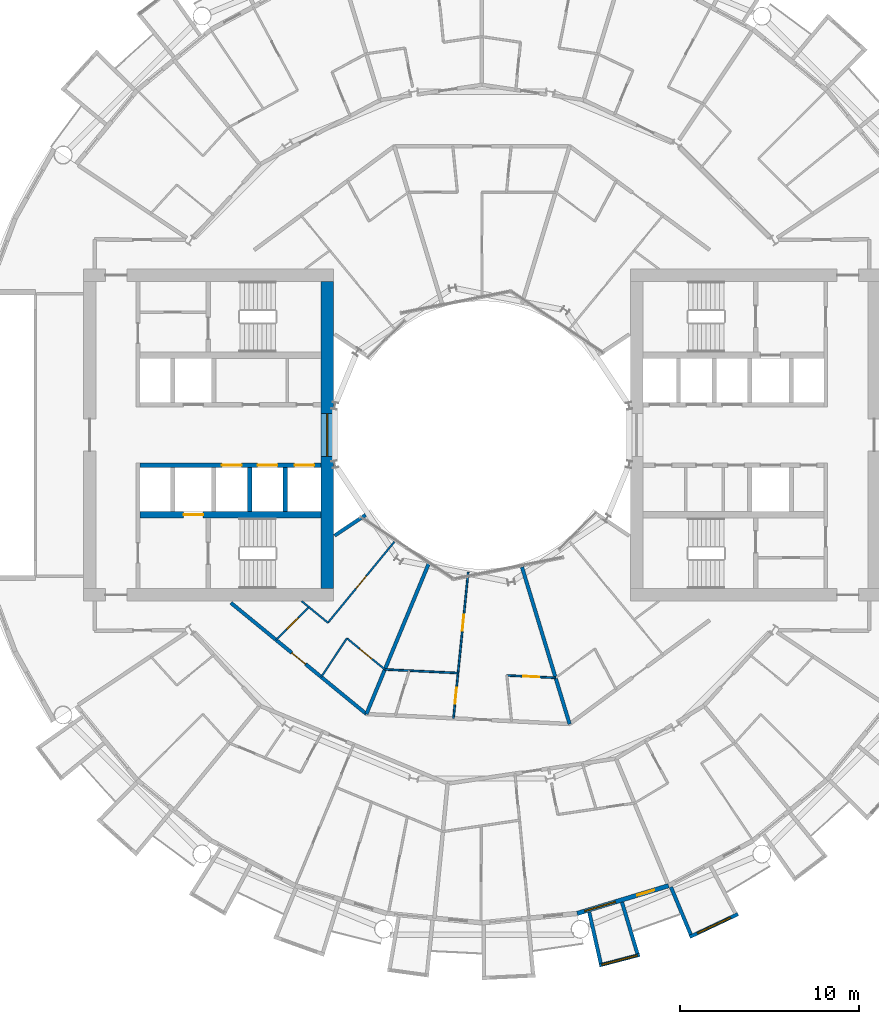
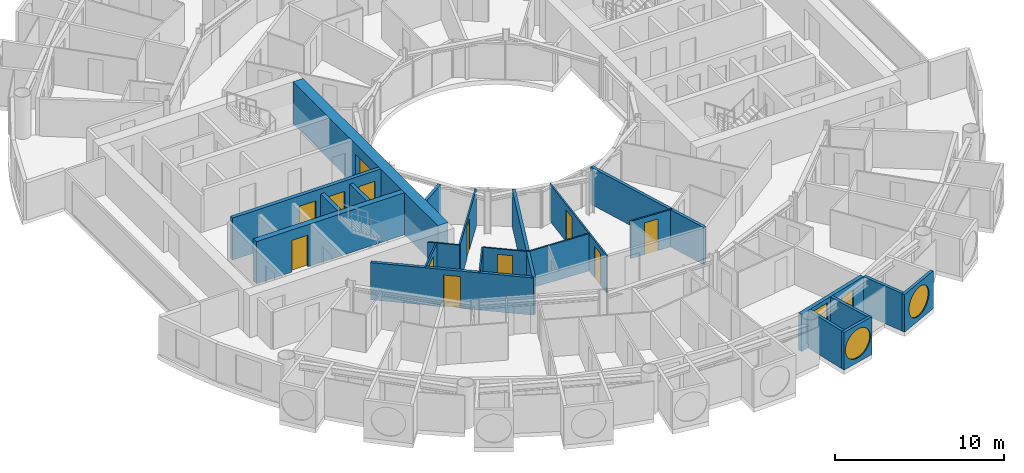
# One storey, part 15 of 26: 23 walls, 12 doors, 4 windows, 16 openings.
"""IFC4 building model written with IfcOpenShell, lengths in metres."""

from ifc_helpers import new_model, si_unit, direction, frame, frame_2d, origin, place, context, subcontext, project, spatial, rectangle, circle, extrude, material, layer, layer_set, type_object, element, fill, save


model = new_model("IFC4")

# Units and contexts
model_context = context("Model", 3, precision=1e-05, world=origin(), true_north=direction((0.0, 1.0)))
body_context = subcontext(model_context, "Body", "Model", "MODEL_VIEW")
ifc_project = project(units=[si_unit("LENGTHUNIT", "METRE"), si_unit("AREAUNIT", "SQUARE_METRE"), si_unit("VOLUMEUNIT", "CUBIC_METRE"), si_unit("PLANEANGLEUNIT", "RADIAN"), si_unit("MASSUNIT", "GRAM", prefix="KILO")], contexts=[model_context])

# Site, building, storey
site_placement = place(None, origin())
site = spatial("IfcSite", under=ifc_project, at=site_placement, CompositionType="ELEMENT")
building_placement = place(site_placement, origin())
building = spatial("IfcBuilding", under=site, at=building_placement, Name="Maasbend Ring Residences", CompositionType="ELEMENT")
storey_placement = place(building_placement, frame((0.0, 0.0, 75.800048828125)))
storey = spatial("IfcBuildingStorey", under=building, at=storey_placement, Name="L21", CompositionType="ELEMENT", Elevation=75.800048828125)

# Wall, openings, doors
ifc_material_1 = material(Name="Concrete C70/85", Category="concrete")
ifc_layer_1 = layer(ifc_material_1, 0.25)
ifc_layer_set_1 = layer_set([ifc_layer_1], Name="Concrete C70/85")
wall_type_1 = type_object("IfcWallType", Name="CORE WALL 250 C70/85", PredefinedType="SHEAR", material=ifc_layer_set_1)
wall_1_placement = place(storey_placement, frame((-9.0, -1.699951171875, 0.0), z_axis=(0.0, 0.0, 1.0), x_axis=(-1.0, 0.0, 0.0)))
wall_1 = element("IfcWall", 1, at=wall_1_placement, inside=storey, type_object=wall_type_1, Name="L21 core W wall SPN", PredefinedType="SHEAR", context=body_context, shape_type="SweptSolid", body=[
    extrude(rectangle(XDim=10.14990234375, YDim=0.25, at=frame_2d((5.074951171875, 0.0))), origin(), (0.0, 0.0, 1.0), 3.050048828125),
])
opening_1_placement = place(wall_1_placement, frame((0.387451171875, 0.0, 0.0)))
opening_1 = element("IfcOpeningElement", 2, at=opening_1_placement, cuts=wall_1, Name="Opening LD-W2101", PredefinedType="OPENING", context=body_context, shape_type="SweptSolid", body=[
    extrude(rectangle(XDim=1.10009765625, YDim=2.300048828125, at=frame_2d((0.550048828125, 1.14990234375))), frame((0.0, 0.135009765625, 0.0), z_axis=(0.0, -1.0, 0.0), x_axis=(1.0, 0.0, 0.0)), (0.0, 0.0, 1.0), 0.27001953125),
])
opening_2_placement = place(wall_1_placement, frame((2.449951171875, 0.0, 0.0)))
opening_2 = element("IfcOpeningElement", 3, at=opening_2_placement, cuts=wall_1, Name="Opening LD-W2102", PredefinedType="OPENING", context=body_context, shape_type="SweptSolid", body=[
    extrude(rectangle(XDim=1.10009765625, YDim=2.300048828125, at=frame_2d((0.550048828125, 1.14990234375))), frame((0.0, 0.135009765625, 0.0), z_axis=(0.0, -1.0, 0.0), x_axis=(1.0, 0.0, 0.0)), (0.0, 0.0, 1.0), 0.27001953125),
])
opening_3_placement = place(wall_1_placement, frame((4.449951171875, 0.0, 0.0)))
opening_3 = element("IfcOpeningElement", 4, at=opening_3_placement, cuts=wall_1, Name="Opening LD-W2103", PredefinedType="OPENING", context=body_context, shape_type="SweptSolid", body=[
    extrude(rectangle(XDim=1.10009765625, YDim=2.300048828125, at=frame_2d((0.550048828125, 1.14990234375))), frame((0.0, 0.135009765625, 0.0), z_axis=(0.0, -1.0, 0.0), x_axis=(1.0, 0.0, 0.0)), (0.0, 0.0, 1.0), 0.27001953125),
])
ifc_material_2 = material(Name="Stainless steel 316", Category="steel")
door_type_1 = type_object("IfcDoorType", Name="LANDING DOOR 1100 X 2300 FD60", OperationType="DOUBLE_DOOR_SLIDING", PredefinedType="DOOR", material=ifc_material_2)
door_1_placement = place(opening_1_placement, origin())
door_1 = element("IfcDoor", 5, at=door_1_placement, inside=storey, type_object=door_type_1, Name="Landing door LR-W1 L21", OperationType="DOUBLE_DOOR_SLIDING", OverallHeight=2.300048828125, OverallWidth=1.10009765625, PredefinedType="DOOR", context=body_context, shape_type="SweptSolid", body=[
    extrude(rectangle(XDim=1.10009765625, YDim=2.300048828125, at=frame_2d((0.550048828125, 1.14990234375))), frame((0.0, 0.02490234375, 0.0), z_axis=(0.0, -1.0, 0.0), x_axis=(1.0, 0.0, 0.0)), (0.0, 0.0, 1.0), 0.050048828125),
])
fill(opening_1, door_1)
door_2_placement = place(opening_2_placement, origin())
door_2 = element("IfcDoor", 6, at=door_2_placement, inside=storey, type_object=door_type_1, Name="Landing door LR-W2 L21", OperationType="DOUBLE_DOOR_SLIDING", OverallHeight=2.300048828125, OverallWidth=1.10009765625, PredefinedType="DOOR", context=body_context, shape_type="SweptSolid", body=[
    extrude(rectangle(XDim=1.10009765625, YDim=2.300048828125, at=frame_2d((0.550048828125, 1.14990234375))), frame((0.0, 0.02490234375, 0.0), z_axis=(0.0, -1.0, 0.0), x_axis=(1.0, 0.0, 0.0)), (0.0, 0.0, 1.0), 0.050048828125),
])
fill(opening_2, door_2)
door_3_placement = place(opening_3_placement, origin())
door_3 = element("IfcDoor", 7, at=door_3_placement, inside=storey, type_object=door_type_1, Name="Landing door LR-W3 L21", OperationType="DOUBLE_DOOR_SLIDING", OverallHeight=2.300048828125, OverallWidth=1.10009765625, PredefinedType="DOOR", context=body_context, shape_type="SweptSolid", body=[
    extrude(rectangle(XDim=1.10009765625, YDim=2.300048828125, at=frame_2d((0.550048828125, 1.14990234375))), frame((0.0, 0.02490234375, 0.0), z_axis=(0.0, -1.0, 0.0), x_axis=(1.0, 0.0, 0.0)), (0.0, 0.0, 1.0), 0.050048828125),
])
fill(opening_3, door_3)

# Wall, opening, door
ifc_material_3 = material(Name="Concrete C70/85", Category="concrete")
ifc_layer_2 = layer(ifc_material_3, 0.375)
ifc_layer_set_2 = layer_set([ifc_layer_2], Name="Concrete C70/85")
wall_type_2 = type_object("IfcWallType", Name="CORE WALL 375 C70/85", PredefinedType="SHEAR", material=ifc_layer_set_2)
wall_2_placement = place(storey_placement, frame((-9.0, -4.46240234375, 0.0), z_axis=(0.0, 0.0, 1.0), x_axis=(-1.0, 0.0, 0.0)))
wall_2 = element("IfcWall", 8, at=wall_2_placement, inside=storey, type_object=wall_type_2, Name="L21 core W wall BN", PredefinedType="SHEAR", context=body_context, shape_type="SweptSolid", body=[
    extrude(rectangle(XDim=10.14990234375, YDim=0.375, at=frame_2d((5.074951171875, 0.0))), origin(), (0.0, 0.0, 1.0), 3.050048828125),
])
opening_4_placement = place(wall_2_placement, frame((6.60009765625, 0.0, 0.0)))
opening_4 = element("IfcOpeningElement", 9, at=opening_4_placement, cuts=wall_2, Name="Opening LD-W2104", PredefinedType="OPENING", context=body_context, shape_type="SweptSolid", body=[
    extrude(rectangle(XDim=1.10009765625, YDim=2.300048828125, at=frame_2d((0.550048828125, 1.14990234375))), frame((0.0, 0.197509765625, 0.0), z_axis=(0.0, -1.0, 0.0), x_axis=(1.0, 0.0, 0.0)), (0.0, 0.0, 1.0), 0.39501953125),
])
door_4_placement = place(opening_4_placement, origin())
door_4 = element("IfcDoor", 10, at=door_4_placement, inside=storey, type_object=door_type_1, Name="Landing door FF-W L21", OperationType="DOUBLE_DOOR_SLIDING", OverallHeight=2.300048828125, OverallWidth=1.10009765625, PredefinedType="DOOR", context=body_context, shape_type="SweptSolid", body=[
    extrude(rectangle(XDim=1.10009765625, YDim=2.300048828125, at=frame_2d((0.550048828125, 1.14990234375))), frame((0.0, 0.02490234375, 0.0), z_axis=(0.0, -1.0, 0.0), x_axis=(1.0, 0.0, 0.0)), (0.0, 0.0, 1.0), 0.050048828125),
])
fill(opening_4, door_4)

# Wall, opening, window
ifc_material_4 = material(Name="Concrete C70/85", Category="concrete")
ifc_layer_3 = layer(ifc_material_4, 0.699951171875)
ifc_layer_set_3 = layer_set([ifc_layer_3], Name="Concrete C70/85")
wall_type_3 = type_object("IfcWallType", Name="CORE WALL 700 C70/85", PredefinedType="SHEAR", material=ifc_layer_set_3)
wall_3_placement = place(storey_placement, frame((-8.64990234375, 8.60009765625, 0.0), z_axis=(0.0, 0.0, 1.0), x_axis=(0.0, -1.0, 0.0)))
wall_3 = element("IfcWall", 11, at=wall_3_placement, inside=storey, type_object=wall_type_3, Name="L21 core W wall PIN", PredefinedType="SHEAR", context=body_context, shape_type="SweptSolid", body=[
    extrude(rectangle(XDim=17.2001953125, YDim=0.699951171875, at=frame_2d((8.60009765625, 0.0))), origin(), (0.0, 0.0, 1.0), 3.050048828125),
])
opening_5_placement = place(wall_3_placement, frame((7.39990234375, 0.0, 0.10009765625)))
opening_5 = element("IfcOpeningElement", 12, at=opening_5_placement, cuts=wall_3, Name="Opening W-W2101", PredefinedType="OPENING", context=body_context, shape_type="SweptSolid", body=[
    extrude(rectangle(XDim=2.39990234375, YDim=2.199951171875, at=frame_2d((1.199951171875, 1.10009765625))), frame((0.0, 0.35986328125, 0.0), z_axis=(0.0, -1.0, 0.0), x_axis=(1.0, 0.0, 0.0)), (0.0, 0.0, 1.0), 0.719970703125),
])
ifc_material_5 = material(Name="Aluminium frame and clear glass", Category="aluminium")
window_type_1 = type_object("IfcWindowType", Name="FIXED WINDOW 2400 X 2200", PartitioningType="SINGLE_PANEL", PredefinedType="WINDOW", material=ifc_material_5)
window_1_placement = place(opening_5_placement, origin())
window_1 = element("IfcWindow", 13, at=window_1_placement, inside=storey, type_object=window_type_1, Name="Lobby window L21", OverallHeight=2.199951171875, OverallWidth=2.39990234375, PartitioningType="SINGLE_PANEL", PredefinedType="WINDOW", context=body_context, shape_type="SweptSolid", body=[
    extrude(rectangle(XDim=2.39990234375, YDim=2.199951171875, at=frame_2d((1.199951171875, 1.10009765625))), frame((0.0, 0.030029296875, 0.0), z_axis=(0.0, -1.0, 0.0), x_axis=(1.0, 0.0, 0.0)), (0.0, 0.0, 1.0), 0.06005859375),
])
fill(opening_5, window_1)

# Wall, opening, door
ifc_material_6 = material(Name="Concrete C30/37", Category="concrete")
ifc_layer_4 = layer(ifc_material_6, 0.199951171875)
ifc_layer_set_4 = layer_set([ifc_layer_4], Name="Concrete C30/37")
wall_type_4 = type_object("IfcWallType", Name="CORRIDOR WALL 200 CONCRETE", PredefinedType="PARTITIONING", material=ifc_layer_set_4)
wall_4_placement = place(storey_placement, frame((-14.050048828125, -9.39208984375, 0.0), z_axis=(0.0, 0.0, 1.0), x_axis=(0.773074935257, -0.634314704605, 0.0)))
wall_4 = element("IfcWall", 14, at=wall_4_placement, inside=storey, type_object=wall_type_4, Name="U-L21-w019", PredefinedType="PARTITIONING", context=body_context, shape_type="SweptSolid", body=[
    extrude(rectangle(XDim=9.808837890625, YDim=0.199951171875, at=frame_2d((4.904296875, 0.0))), origin(), (0.0, 0.0, 1.0), 2.699951171875),
])
opening_6_placement = place(wall_4_placement, frame((4.402099609375, 0.0, 0.0)))
opening_6 = element("IfcOpeningElement", 15, at=opening_6_placement, cuts=wall_4, Name="Opening D-2155", PredefinedType="OPENING", context=body_context, shape_type="SweptSolid", body=[
    extrude(rectangle(XDim=1.0, YDim=2.300048828125, at=frame_2d((0.5, 1.14990234375))), frame((0.0, 0.10986328125, 0.0), z_axis=(0.0, -1.0, 0.0), x_axis=(1.0, 0.0, 0.0)), (0.0, 0.0, 1.0), 0.219970703125),
])
ifc_material_7 = material(Name="Timber, fire-rated, painted", Category="wood")
door_type_2 = type_object("IfcDoorType", Name="FLAT ENTRANCE DOOR 1000 X 2300 FIRE-RATED", OperationType="NOTDEFINED", PredefinedType="DOOR", material=ifc_material_7)
door_5_placement = place(opening_6_placement, origin())
door_5 = element("IfcDoor", 16, at=door_5_placement, inside=storey, type_object=door_type_2, Name="D-2155", OperationType="SINGLE_SWING_LEFT", OverallHeight=2.300048828125, OverallWidth=1.0, PredefinedType="DOOR", context=body_context, shape_type="SweptSolid", body=[
    extrude(rectangle(XDim=1.0, YDim=2.300048828125, at=frame_2d((0.5, 1.14990234375))), frame((0.0, 0.02490234375, 0.0), z_axis=(0.0, -1.0, 0.0), x_axis=(1.0, 0.0, 0.0)), (0.0, 0.0, 1.0), 0.050048828125),
])
fill(opening_6, door_5)

# Wall, opening, window
ifc_material_8 = material(Name="Pale anodised aluminium panel", Category="aluminium")
ifc_layer_5 = layer(ifc_material_8, 0.199951171875)
ifc_layer_set_5 = layer_set([ifc_layer_5], Name="EW-BOX")
wall_type_5 = type_object("IfcWallType", Name="EW-BOX", PredefinedType="SOLIDWALL", material=ifc_layer_set_5)
wall_5_placement = place(storey_placement, frame((6.568115234375, -29.681884765625, -0.030029296875), z_axis=(0.0, 0.0, 1.0), x_axis=(0.967377102346, 0.253340762326, 0.0)))
wall_5 = element("IfcWall", 17, at=wall_5_placement, inside=storey, type_object=wall_type_5, Name="Box front S13", PredefinedType="SOLIDWALL", context=body_context, shape_type="SweptSolid", body=[
    extrude(rectangle(XDim=2.3359375, YDim=0.199951171875, at=frame_2d((1.16796875, 0.0))), origin(), (0.0, 0.0, 1.0), 2.72998046875),
])
opening_7_placement = place(wall_5_placement, frame((0.128173828125, 0.0, 0.330078125)))
opening_7 = element("IfcOpeningElement", 18, at=opening_7_placement, cuts=wall_5, Name="Opening W-RD", PredefinedType="OPENING", context=body_context, shape_type="SweptSolid", body=[
    extrude(circle(Radius=1.0400390625, at=frame_2d((1.0400390625, 1.0400390625))), frame((0.0, 0.10986328125, 0.0), z_axis=(0.0, -1.0, 0.0), x_axis=(1.0, 0.0, 0.0)), (0.0, 0.0, 1.0), 0.219970703125),
])
ifc_material_9 = material(Name="Aluminium and clear glass", Category="aluminium")
window_type_2 = type_object("IfcWindowType", Name="W-RD", PartitioningType="SINGLE_PANEL", PredefinedType="WINDOW", material=ifc_material_9)
window_2_placement = place(opening_7_placement, origin())
window_2 = element("IfcWindow", 19, at=window_2_placement, inside=storey, type_object=window_type_2, Name="Round window S13", OverallHeight=2.080078125, OverallWidth=2.080078125, PartitioningType="SINGLE_PANEL", PredefinedType="WINDOW", context=body_context, shape_type="SweptSolid", body=[
    extrude(circle(Radius=1.0400390625, at=frame_2d((1.0400390625, 1.0400390625))), frame((0.0, 0.030029296875, 0.0), z_axis=(0.0, -1.0, 0.0), x_axis=(1.0, 0.0, 0.0)), (0.0, 0.0, 1.0), 0.06005859375),
])
fill(opening_7, window_2)

# Walls
wall_6_placement = place(storey_placement, frame((6.00390625, -26.699951171875, -0.030029296875), z_axis=(0.0, 0.0, 1.0), x_axis=(0.219609259383, -0.975587911566, 0.0)))
element("IfcWall", 20, at=wall_6_placement, inside=storey, type_object=wall_type_5, Name="Box side wall S13 left", PredefinedType="SOLIDWALL", context=body_context, shape_type="SweptSolid", body=[
    extrude(rectangle(XDim=2.9326171875, YDim=0.199951171875, at=frame_2d((1.46630859375, 0.0))), origin(), (0.0, 0.0, 1.0), 2.72998046875),
])
wall_7_placement = place(storey_placement, frame((7.8369140625, -26.14404296875, -0.030029296875), z_axis=(0.0, 0.0, 1.0), x_axis=(0.287064767992, -0.957911174889, 0.0)))
element("IfcWall", 21, at=wall_7_placement, inside=storey, type_object=wall_type_5, Name="Box side wall S13 right", PredefinedType="SOLIDWALL", context=body_context, shape_type="SweptSolid", body=[
    extrude(rectangle(XDim=3.00634765625, YDim=0.199951171875, at=frame_2d((1.503173828125, 0.0))), origin(), (0.0, 0.0, 1.0), 2.72998046875),
])

# Wall, opening, window
wall_8_placement = place(storey_placement, frame((11.62890625, -28.087890625, -0.030029296875), z_axis=(0.0, 0.0, 1.0), x_axis=(0.904000060331, 0.427532327342, 0.0)))
wall_8 = element("IfcWall", 22, at=wall_8_placement, inside=storey, type_object=wall_type_5, Name="Box front S15", PredefinedType="SOLIDWALL", context=body_context, shape_type="SweptSolid", body=[
    extrude(rectangle(XDim=2.993408203125, YDim=0.199951171875, at=frame_2d((1.49658203125, 0.0))), origin(), (0.0, 0.0, 1.0), 2.72998046875),
])
opening_8_placement = place(wall_8_placement, frame((0.45654296875, 0.0, 0.330078125)))
opening_8 = element("IfcOpeningElement", 23, at=opening_8_placement, cuts=wall_8, Name="Opening W-RD", PredefinedType="OPENING", context=body_context, shape_type="SweptSolid", body=[
    extrude(circle(Radius=1.0400390625, at=frame_2d((1.0400390625, 1.0400390625))), frame((0.0, 0.10986328125, 0.0), z_axis=(0.0, -1.0, 0.0), x_axis=(1.0, 0.0, 0.0)), (0.0, 0.0, 1.0), 0.219970703125),
])
window_3_placement = place(opening_8_placement, origin())
window_3 = element("IfcWindow", 24, at=window_3_placement, inside=storey, type_object=window_type_2, Name="Round window S15", OverallHeight=2.080078125, OverallWidth=2.080078125, PartitioningType="SINGLE_PANEL", PredefinedType="WINDOW", context=body_context, shape_type="SweptSolid", body=[
    extrude(circle(Radius=1.0400390625, at=frame_2d((1.0400390625, 1.0400390625))), frame((0.0, 0.030029296875, 0.0), z_axis=(0.0, -1.0, 0.0), x_axis=(1.0, 0.0, 0.0)), (0.0, 0.0, 1.0), 0.06005859375),
])
fill(opening_8, window_3)

# Wall
wall_9_placement = place(storey_placement, frame((10.574951171875, -25.294921875, -0.030029296875), z_axis=(0.0, 0.0, 1.0), x_axis=(0.385697364644, -0.922625353492, 0.0)))
element("IfcWall", 25, at=wall_9_placement, inside=storey, type_object=wall_type_5, Name="Box side wall S15 left", PredefinedType="SOLIDWALL", context=body_context, shape_type="SweptSolid", body=[
    extrude(rectangle(XDim=2.88330078125, YDim=0.199951171875, at=frame_2d((1.441650390625, 0.0))), origin(), (0.0, 0.0, 1.0), 2.72998046875),
])

# Wall, openings, door, window
ifc_material_10 = material(Name="Aluminium clad insulated panel", Category="aluminium")
ifc_layer_6 = layer(ifc_material_10, 0.25)
ifc_layer_set_6 = layer_set([ifc_layer_6], Name="EW-GL")
wall_type_6 = type_object("IfcWallType", Name="EW-GL", PredefinedType="SOLIDWALL", material=ifc_layer_set_6)
wall_10_placement = place(storey_placement, frame((5.325927734375, -26.77490234375, 0.0), z_axis=(0.0, 0.0, 1.0), x_axis=(0.956965678721, 0.290201119486, 0.0)))
wall_10 = element("IfcWall", 26, at=wall_10_placement, inside=storey, type_object=wall_type_6, Name="External wall S07", PredefinedType="SOLIDWALL", context=body_context, shape_type="SweptSolid", body=[
    extrude(rectangle(XDim=5.351318359375, YDim=0.25, at=frame_2d((2.67578125, 0.0))), origin(), (0.0, 0.0, 1.0), 2.699951171875),
])
opening_9_placement = place(wall_10_placement, frame((0.441162109375, 0.0, 0.300048828125)))
opening_9 = element("IfcOpeningElement", 27, at=opening_9_placement, cuts=wall_10, Name="Opening W-BX", PredefinedType="OPENING", context=body_context, shape_type="SweptSolid", body=[
    extrude(rectangle(XDim=1.800048828125, YDim=2.10009765625, at=frame_2d((0.89990234375, 1.050048828125))), frame((0.0, 0.135009765625, 0.0), z_axis=(0.0, -1.0, 0.0), x_axis=(1.0, 0.0, 0.0)), (0.0, 0.0, 1.0), 0.27001953125),
])
opening_10_placement = place(wall_10_placement, frame((3.510498046875, 0.0, 0.0)))
opening_10 = element("IfcOpeningElement", 28, at=opening_10_placement, cuts=wall_10, Name="Opening D-LG", PredefinedType="OPENING", context=body_context, shape_type="SweptSolid", body=[
    extrude(rectangle(XDim=1.0, YDim=2.199951171875, at=frame_2d((0.5, 1.10009765625))), frame((0.0, 0.135009765625, 0.0), z_axis=(0.0, -1.0, 0.0), x_axis=(1.0, 0.0, 0.0)), (0.0, 0.0, 1.0), 0.27001953125),
])
ifc_material_11 = material(Name="Aluminium and clear glass", Category="aluminium")
door_type_3 = type_object("IfcDoorType", Name="D-LG", OperationType="SINGLE_SWING_LEFT", PredefinedType="DOOR", material=ifc_material_11)
door_6_placement = place(opening_10_placement, origin())
door_6 = element("IfcDoor", 29, at=door_6_placement, inside=storey, type_object=door_type_3, Name="Loggia door S14", OperationType="SINGLE_SWING_LEFT", OverallHeight=2.199951171875, OverallWidth=1.0, PredefinedType="DOOR", context=body_context, shape_type="SweptSolid", body=[
    extrude(rectangle(XDim=1.0, YDim=2.199951171875, at=frame_2d((0.5, 1.10009765625))), frame((0.0, 0.02490234375, 0.0), z_axis=(0.0, -1.0, 0.0), x_axis=(1.0, 0.0, 0.0)), (0.0, 0.0, 1.0), 0.050048828125),
])
fill(opening_10, door_6)
ifc_material_12 = material(Name="Aluminium and clear glass", Category="aluminium")
window_type_3 = type_object("IfcWindowType", Name="W-BX", PartitioningType="DOUBLE_PANEL_VERTICAL", PredefinedType="WINDOW", material=ifc_material_12)
window_4_placement = place(opening_9_placement, origin())
window_4 = element("IfcWindow", 30, at=window_4_placement, inside=storey, type_object=window_type_3, Name="Window S13 room to box", OverallHeight=2.10009765625, OverallWidth=1.800048828125, PartitioningType="SINGLE_PANEL", PredefinedType="WINDOW", context=body_context, shape_type="SweptSolid", body=[
    extrude(rectangle(XDim=1.800048828125, YDim=2.10009765625, at=frame_2d((0.89990234375, 1.050048828125))), frame((0.0, 0.030029296875, 0.0), z_axis=(0.0, -1.0, 0.0), x_axis=(1.0, 0.0, 0.0)), (0.0, 0.0, 1.0), 0.06005859375),
])
fill(opening_9, window_4)

# Wall
ifc_material_13 = material(Name="Gypsum board on steel studs", Category="steel")
ifc_layer_7 = layer(ifc_material_13, 0.10009765625)
ifc_layer_set_7 = layer_set([ifc_layer_7], Name="PARTITION 100 GYPSUM")
wall_type_7 = type_object("IfcWallType", Name="PARTITION 100 GYPSUM", PredefinedType="PARTITIONING", material=ifc_layer_set_7)
wall_11_placement = place(storey_placement, frame((-10.093017578125, -9.2958984375, 0.0), z_axis=(0.0, 0.0, 1.0), x_axis=(0.772957368531, -0.6344579627, 0.0)))
element("IfcWall", 31, at=wall_11_placement, inside=storey, type_object=wall_type_7, Name="U-L21-w022", PredefinedType="PARTITIONING", context=body_context, shape_type="SweptSolid", body=[
    extrude(rectangle(XDim=1.905517578125, YDim=0.10009765625, at=frame_2d((0.95263671875, 0.0))), origin(), (0.0, 0.0, 1.0), 2.699951171875),
])

# Wall, opening, door
wall_12_placement = place(storey_placement, frame((-7.55810546875, -11.3759765625, 0.0), z_axis=(0.0, 0.0, 1.0), x_axis=(0.773049907698, -0.634345205868, 0.0)))
wall_12 = element("IfcWall", 32, at=wall_12_placement, inside=storey, type_object=wall_type_7, Name="U-L21-w023", PredefinedType="PARTITIONING", context=body_context, shape_type="SweptSolid", body=[
    extrude(rectangle(XDim=2.74755859375, YDim=0.10009765625, at=frame_2d((1.373779296875, 0.0))), origin(), (0.0, 0.0, 1.0), 2.699951171875),
])
opening_11_placement = place(wall_12_placement, frame((0.924072265625, 0.0, 0.0)))
opening_11 = element("IfcOpeningElement", 33, at=opening_11_placement, cuts=wall_12, Name="Opening D-2156", PredefinedType="OPENING", context=body_context, shape_type="SweptSolid", body=[
    extrude(rectangle(XDim=0.89990234375, YDim=2.300048828125, at=frame_2d((0.449951171875, 1.14990234375))), frame((0.0, 0.06005859375, 0.0), z_axis=(0.0, -1.0, 0.0), x_axis=(1.0, 0.0, 0.0)), (0.0, 0.0, 1.0), 0.1201171875),
])
ifc_material_14 = material(Name="Timber, painted", Category="wood")
door_type_4 = type_object("IfcDoorType", Name="INTERNAL DOOR 900 X 2300", OperationType="NOTDEFINED", PredefinedType="DOOR", material=ifc_material_14)
door_7_placement = place(opening_11_placement, origin())
door_7 = element("IfcDoor", 34, at=door_7_placement, inside=storey, type_object=door_type_4, Name="D-2156", OperationType="SINGLE_SWING_LEFT", OverallHeight=2.300048828125, OverallWidth=0.89990234375, PredefinedType="DOOR", context=body_context, shape_type="SweptSolid", body=[
    extrude(rectangle(XDim=0.89990234375, YDim=2.300048828125, at=frame_2d((0.449951171875, 1.14990234375))), frame((0.0, 0.02490234375, 0.0), z_axis=(0.0, -1.0, 0.0), x_axis=(1.0, 0.0, 0.0)), (0.0, 0.0, 1.0), 0.050048828125),
])
fill(opening_11, door_7)

# Wall
wall_13_placement = place(storey_placement, frame((-5.43408203125, -13.118896484375, 0.0), z_axis=(0.0, 0.0, 1.0), x_axis=(0.998795469779, -0.049067398026, 0.0)))
element("IfcWall", 35, at=wall_13_placement, inside=storey, type_object=wall_type_7, Name="U-L21-w024", PredefinedType="PARTITIONING", context=body_context, shape_type="SweptSolid", body=[
    extrude(rectangle(XDim=4.099853515625, YDim=0.10009765625, at=frame_2d((2.0498046875, 0.0))), origin(), (0.0, 0.0, 1.0), 2.699951171875),
])

# Wall, opening, door
wall_14_placement = place(storey_placement, frame((1.39697265625, -13.4541015625, 0.0), z_axis=(0.0, 0.0, 1.0), x_axis=(0.99880129942, -0.048948588095, 0.0)))
wall_14 = element("IfcWall", 36, at=wall_14_placement, inside=storey, type_object=wall_type_7, Name="U-L21-w025", PredefinedType="PARTITIONING", context=body_context, shape_type="SweptSolid", body=[
    extrude(rectangle(XDim=2.733154296875, YDim=0.10009765625, at=frame_2d((1.36669921875, 0.0))), origin(), (0.0, 0.0, 1.0), 2.699951171875),
])
opening_12_placement = place(wall_14_placement, frame((0.912109375, 0.0, 0.0)))
opening_12 = element("IfcOpeningElement", 37, at=opening_12_placement, cuts=wall_14, Name="Opening D-2160", PredefinedType="OPENING", context=body_context, shape_type="SweptSolid", body=[
    extrude(rectangle(XDim=0.89990234375, YDim=2.300048828125, at=frame_2d((0.449951171875, 1.14990234375))), frame((0.0, 0.06005859375, 0.0), z_axis=(0.0, -1.0, 0.0), x_axis=(1.0, 0.0, 0.0)), (0.0, 0.0, 1.0), 0.1201171875),
])
door_8_placement = place(opening_12_placement, origin())
door_8 = element("IfcDoor", 38, at=door_8_placement, inside=storey, type_object=door_type_4, Name="D-2160", OperationType="SINGLE_SWING_LEFT", OverallHeight=2.300048828125, OverallWidth=0.89990234375, PredefinedType="DOOR", context=body_context, shape_type="SweptSolid", body=[
    extrude(rectangle(XDim=0.89990234375, YDim=2.300048828125, at=frame_2d((0.449951171875, 1.14990234375))), frame((0.0, 0.02490234375, 0.0), z_axis=(0.0, -1.0, 0.0), x_axis=(1.0, 0.0, 0.0)), (0.0, 0.0, 1.0), 0.050048828125),
])
fill(opening_12, door_8)

wall_15_placement = place(storey_placement, frame((-11.52392578125, -11.464111328125, 0.0), z_axis=(0.0, 0.0, 1.0), x_axis=(0.708796844581, 0.705412668665, 0.0)))
wall_15 = element("IfcWall", 39, at=wall_15_placement, inside=storey, type_object=wall_type_7, Name="U-L21-w047", PredefinedType="PARTITIONING", context=body_context, shape_type="SweptSolid", body=[
    extrude(rectangle(XDim=2.59716796875, YDim=0.10009765625, at=frame_2d((1.298583984375, 0.0))), origin(), (0.0, 0.0, 1.0), 2.699951171875),
])
opening_13_placement = place(wall_15_placement, frame((0.84912109375, 0.0, 0.0)))
opening_13 = element("IfcOpeningElement", 40, at=opening_13_placement, cuts=wall_15, Name="Opening D-2157", PredefinedType="OPENING", context=body_context, shape_type="SweptSolid", body=[
    extrude(rectangle(XDim=0.89990234375, YDim=2.300048828125, at=frame_2d((0.449951171875, 1.14990234375))), frame((0.0, 0.06005859375, 0.0), z_axis=(0.0, -1.0, 0.0), x_axis=(1.0, 0.0, 0.0)), (0.0, 0.0, 1.0), 0.1201171875),
])
door_9_placement = place(opening_13_placement, origin())
door_9 = element("IfcDoor", 41, at=door_9_placement, inside=storey, type_object=door_type_4, Name="D-2157", OperationType="SINGLE_SWING_RIGHT", OverallHeight=2.300048828125, OverallWidth=0.89990234375, PredefinedType="DOOR", context=body_context, shape_type="SweptSolid", body=[
    extrude(rectangle(XDim=0.89990234375, YDim=2.300048828125, at=frame_2d((0.449951171875, 1.14990234375))), frame((0.0, 0.02490234375, 0.0), z_axis=(0.0, -1.0, 0.0), x_axis=(1.0, 0.0, 0.0)), (0.0, 0.0, 1.0), 0.050048828125),
])
fill(opening_13, door_9)

# Wall
wall_16_placement = place(storey_placement, frame((-8.99609375, -13.5390625, 0.0), z_axis=(0.0, 0.0, 1.0), x_axis=(0.553615197403, 0.83277260594, 0.0)))
element("IfcWall", 42, at=wall_16_placement, inside=storey, type_object=wall_type_7, Name="U-L21-w051", PredefinedType="PARTITIONING", context=body_context, shape_type="SweptSolid", body=[
    extrude(rectangle(XDim=2.597412109375, YDim=0.10009765625, at=frame_2d((1.298828125, 0.0))), origin(), (0.0, 0.0, 1.0), 2.699951171875),
])

# Wall, opening, door
wall_17_placement = place(storey_placement, frame((-8.6201171875, -10.50390625, 0.0), z_axis=(0.0, 0.0, 1.0), x_axis=(0.634358693064, 0.773038840249, 0.0)))
wall_17 = element("IfcWall", 43, at=wall_17_placement, inside=storey, type_object=wall_type_7, Name="U-L21-w052", PredefinedType="PARTITIONING", context=body_context, shape_type="SweptSolid", body=[
    extrude(rectangle(XDim=5.86767578125, YDim=0.10009765625, at=frame_2d((2.933837890625, 0.0))), origin(), (0.0, 0.0, 1.0), 2.699951171875),
])
opening_14_placement = place(wall_17_placement, frame((2.48388671875, 0.0, 0.0)))
opening_14 = element("IfcOpeningElement", 44, at=opening_14_placement, cuts=wall_17, Name="Opening D-2158", PredefinedType="OPENING", context=body_context, shape_type="SweptSolid", body=[
    extrude(rectangle(XDim=0.89990234375, YDim=2.300048828125, at=frame_2d((0.449951171875, 1.14990234375))), frame((0.0, 0.06005859375, 0.0), z_axis=(0.0, -1.0, 0.0), x_axis=(1.0, 0.0, 0.0)), (0.0, 0.0, 1.0), 0.1201171875),
])
door_10_placement = place(opening_14_placement, origin())
door_10 = element("IfcDoor", 45, at=door_10_placement, inside=storey, type_object=door_type_4, Name="D-2158", OperationType="SINGLE_SWING_RIGHT", OverallHeight=2.300048828125, OverallWidth=0.89990234375, PredefinedType="DOOR", context=body_context, shape_type="SweptSolid", body=[
    extrude(rectangle(XDim=0.89990234375, YDim=2.300048828125, at=frame_2d((0.449951171875, 1.14990234375))), frame((0.0, 0.02490234375, 0.0), z_axis=(0.0, -1.0, 0.0), x_axis=(1.0, 0.0, 0.0)), (0.0, 0.0, 1.0), 0.050048828125),
])
fill(opening_14, door_10)

# Wall, openings, doors
wall_18_placement = place(storey_placement, frame((-1.593017578125, -15.85302734375, 0.0), z_axis=(0.0, 0.0, 1.0), x_axis=(0.100083483356, 0.994979043176, 0.0)))
wall_18 = element("IfcWall", 46, at=wall_18_placement, inside=storey, type_object=wall_type_7, Name="U-L21-w063", PredefinedType="PARTITIONING", context=body_context, shape_type="SweptSolid", body=[
    extrude(rectangle(XDim=8.21337890625, YDim=0.10009765625, at=frame_2d((4.106689453125, 0.0))), origin(), (0.0, 0.0, 1.0), 2.699951171875),
])
opening_15_placement = place(wall_18_placement, frame((0.822998046875, 0.0, 0.0)))
opening_15 = element("IfcOpeningElement", 47, at=opening_15_placement, cuts=wall_18, Name="Opening D-2161", PredefinedType="OPENING", context=body_context, shape_type="SweptSolid", body=[
    extrude(rectangle(XDim=0.89990234375, YDim=2.300048828125, at=frame_2d((0.449951171875, 1.14990234375))), frame((0.0, 0.06005859375, 0.0), z_axis=(0.0, -1.0, 0.0), x_axis=(1.0, 0.0, 0.0)), (0.0, 0.0, 1.0), 0.1201171875),
])
opening_16_placement = place(wall_18_placement, frame((4.930908203125, 0.0, 0.0)))
opening_16 = element("IfcOpeningElement", 48, at=opening_16_placement, cuts=wall_18, Name="Opening D-2163", PredefinedType="OPENING", context=body_context, shape_type="SweptSolid", body=[
    extrude(rectangle(XDim=0.89990234375, YDim=2.300048828125, at=frame_2d((0.449951171875, 1.14990234375))), frame((0.0, 0.06005859375, 0.0), z_axis=(0.0, -1.0, 0.0), x_axis=(1.0, 0.0, 0.0)), (0.0, 0.0, 1.0), 0.1201171875),
])
door_11_placement = place(opening_15_placement, origin())
door_11 = element("IfcDoor", 49, at=door_11_placement, inside=storey, type_object=door_type_4, Name="D-2161", OperationType="SINGLE_SWING_LEFT", OverallHeight=2.300048828125, OverallWidth=0.89990234375, PredefinedType="DOOR", context=body_context, shape_type="SweptSolid", body=[
    extrude(rectangle(XDim=0.89990234375, YDim=2.300048828125, at=frame_2d((0.449951171875, 1.14990234375))), frame((0.0, 0.02490234375, 0.0), z_axis=(0.0, -1.0, 0.0), x_axis=(1.0, 0.0, 0.0)), (0.0, 0.0, 1.0), 0.050048828125),
])
fill(opening_15, door_11)
door_12_placement = place(opening_16_placement, origin())
door_12 = element("IfcDoor", 50, at=door_12_placement, inside=storey, type_object=door_type_4, Name="D-2163", OperationType="SINGLE_SWING_RIGHT", OverallHeight=2.300048828125, OverallWidth=0.89990234375, PredefinedType="DOOR", context=body_context, shape_type="SweptSolid", body=[
    extrude(rectangle(XDim=0.89990234375, YDim=2.300048828125, at=frame_2d((0.449951171875, 1.14990234375))), frame((0.0, 0.02490234375, 0.0), z_axis=(0.0, -1.0, 0.0), x_axis=(1.0, 0.0, 0.0)), (0.0, 0.0, 1.0), 0.050048828125),
])
fill(opening_16, door_12)

# Walls
ifc_material_15 = material(Name="Concrete C30/37", Category="concrete")
ifc_layer_8 = layer(ifc_material_15, 0.199951171875)
ifc_layer_set_8 = layer_set([ifc_layer_8], Name="Concrete C30/37")
wall_type_8 = type_object("IfcWallType", Name="PARTY WALL 200 CONCRETE", PredefinedType="PARTITIONING", material=ifc_layer_set_8)
wall_19_placement = place(storey_placement, frame((-6.512939453125, -4.471923828125, 0.0), z_axis=(0.0, 0.0, 1.0), x_axis=(-0.831382204863, -0.555701025225, 0.0)))
element("IfcWall", 51, at=wall_19_placement, inside=storey, type_object=wall_type_8, Name="U-L21-w030", PredefinedType="PARTITIONING", context=body_context, shape_type="SweptSolid", body=[
    extrude(rectangle(XDim=2.08203125, YDim=0.199951171875, at=frame_2d((1.041015625, 0.0))), origin(), (0.0, 0.0, 1.0), 2.699951171875),
])
wall_20_placement = place(storey_placement, frame((-6.467041015625, -15.614013671875, 0.0), z_axis=(0.0, 0.0, 1.0), x_axis=(0.382646942224, 0.923894646378, 0.0)))
element("IfcWall", 52, at=wall_20_placement, inside=storey, type_object=wall_type_8, Name="U-L21-w056", PredefinedType="PARTITIONING", context=body_context, shape_type="SweptSolid", body=[
    extrude(rectangle(XDim=9.1806640625, YDim=0.199951171875, at=frame_2d((4.59033203125, 0.0))), origin(), (0.0, 0.0, 1.0), 2.699951171875),
])
wall_21_placement = place(storey_placement, frame((2.239990234375, -7.387939453125, 0.0), z_axis=(0.0, 0.0, 1.0), x_axis=(0.290420725025, -0.956899055531, 0.0)))
element("IfcWall", 53, at=wall_21_placement, inside=storey, type_object=wall_type_8, Name="U-L21-w071", PredefinedType="PARTITIONING", context=body_context, shape_type="SweptSolid", body=[
    extrude(rectangle(XDim=9.179931640625, YDim=0.199951171875, at=frame_2d((4.58984375, 0.0))), origin(), (0.0, 0.0, 1.0), 2.699951171875),
])
ifc_material_16 = material(Name="Concrete C30/37", Category="concrete")
ifc_layer_9 = layer(ifc_material_16, 0.25)
ifc_layer_set_9 = layer_set([ifc_layer_9], Name="Concrete C30/37")
wall_type_9 = type_object("IfcWallType", Name="SHAFT WALL 250 EI 120", PredefinedType="SOLIDWALL", material=ifc_layer_set_9)
for number, where, z_axis, x_axis, name in (
    (54, (-11.0, -1.824951171875, 0.0), (0.0, 0.0, 1.0), (0.0, -1.0, 0.0), "L21 core W wall D110N"),
    (55, (-13.0, -1.824951171875, 0.0), (0.0, 0.0, 1.0), (0.0, -1.0, 0.0), "L21 core W wall D130N"),
):
    element("IfcWall", number, at=place(storey_placement, frame(where, z_axis=z_axis, x_axis=x_axis)), inside=storey, type_object=wall_type_9, Name=name, PredefinedType="SOLIDWALL", context=body_context, shape_type="SweptSolid", body=[
        extrude(rectangle(XDim=2.449951171875, YDim=0.25, at=frame_2d((1.22509765625, 0.0))), origin(), (0.0, 0.0, 1.0), 2.699951171875),
    ])

save(model, "model.ifc")
